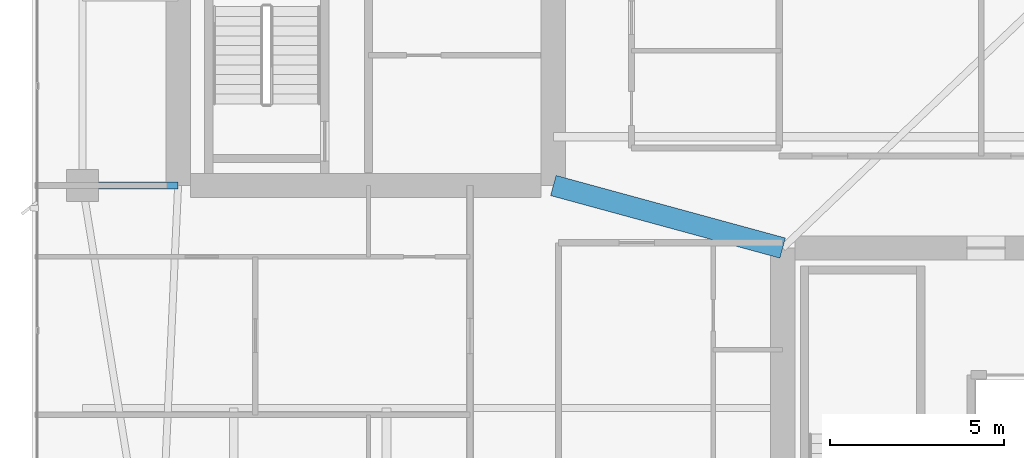
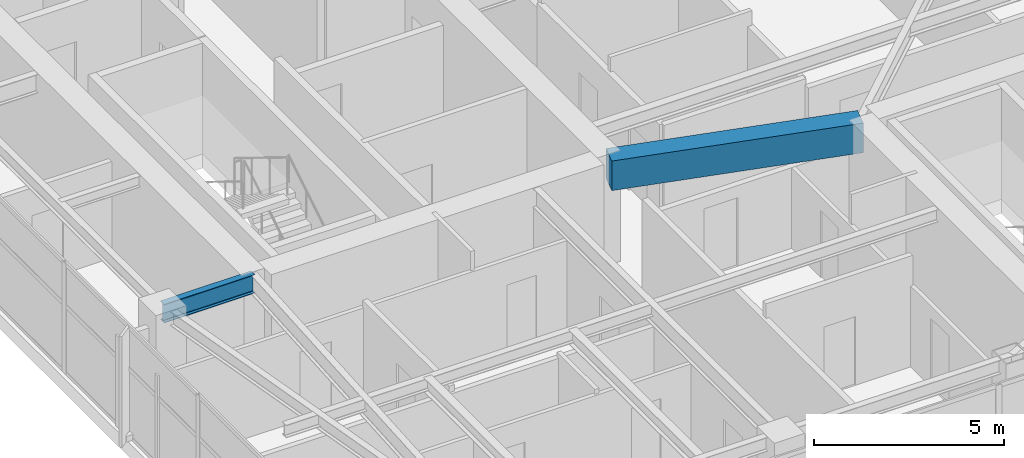
# One storey, part 7 of 29: 2 beams.
"""IFC4 building model written with IfcOpenShell, lengths in metres."""

from ifc_helpers import new_model, si_unit, direction, frame, origin, origin_2d, place, context, subcontext, project, spatial, rectangle, i_section, extrude, material, material_profile, profile_set, type_object, element, save


model = new_model("IFC4")

# Units and contexts
model_context = context("Model", 3, precision=1e-05, world=origin(), true_north=direction((0.0, 1.0)))
body_context = subcontext(model_context, "Body", "Model", "MODEL_VIEW")
ifc_project = project(units=[si_unit("LENGTHUNIT", "METRE"), si_unit("AREAUNIT", "SQUARE_METRE"), si_unit("VOLUMEUNIT", "CUBIC_METRE"), si_unit("PLANEANGLEUNIT", "RADIAN"), si_unit("MASSUNIT", "GRAM", prefix="KILO")], contexts=[model_context])

# Site, building, storey
site_placement = place(None, origin())
site = spatial("IfcSite", under=ifc_project, at=site_placement, CompositionType="ELEMENT")
building_placement = place(site_placement, origin())
building = spatial("IfcBuilding", under=site, at=building_placement, Name="Calvorn Quay Hotel", CompositionType="ELEMENT")
storey_placement = place(building_placement, frame((0.0, 0.0, 199.60009765625)))
storey = spatial("IfcBuildingStorey", under=building, at=storey_placement, Name="L49", CompositionType="ELEMENT", Elevation=199.60009765625)

# Beams
ifc_material_1 = material(Name="Steel Q355B", Category="steel")
ifc_material_profile_1 = material_profile(ifc_material_1, i_section(OverallWidth=0.199951171875, OverallDepth=0.60009765625, WebThickness=0.010986328125, FlangeThickness=0.01708984375, FilletRadius=0.01806640625, at=origin_2d()), Name="HN600x200x11x17")
ifc_profile_set_1 = profile_set([ifc_material_profile_1], Name="Steel Q355B")
beam_type_1 = type_object("IfcBeamType", Name="BM-GIRD-TYP", PredefinedType="BEAM", material=ifc_profile_set_1)
beam_1_placement = place(storey_placement, frame((1.449951171875, 16.800048828125, 3.239990234375), z_axis=(1.0, 0.0, 0.0), x_axis=(0.0, 1.0, 0.0)))
element("IfcBeam", 1, at=beam_1_placement, inside=storey, type_object=beam_type_1, Name="Beam BG-L49-W1", PredefinedType="BEAM", context=body_context, shape_type="SweptSolid", body=[
    extrude(i_section(OverallWidth=0.199951171875, OverallDepth=0.60009765625, WebThickness=0.010986328125, FlangeThickness=0.01708984375, FilletRadius=0.01806640625, at=origin_2d()), origin(), (0.0, 0.0, 1.0), 2.75),
])
ifc_material_2 = material(Name="Concrete C45", Category="concrete")
ifc_material_profile_2 = material_profile(ifc_material_2, rectangle(XDim=0.60009765625, YDim=0.949951171875, at=origin_2d()), Name="RCB600x950")
ifc_profile_set_2 = profile_set([ifc_material_profile_2], Name="Concrete C45")
beam_type_2 = type_object("IfcBeamType", Name="BM-RC-LINK-600x950", PredefinedType="BEAM", material=ifc_profile_set_2)
beam_2_placement = place(storey_placement, frame((15.0, 16.800048828125, 3.06494140625), z_axis=(0.964762997686, -0.263120425462, 0.0), x_axis=(0.263120425462, 0.964762997686, 0.0)))
element("IfcBeam", 2, at=beam_2_placement, inside=storey, type_object=beam_type_2, Name="Beam BCL-L49-01", PredefinedType="BEAM", context=body_context, shape_type="SweptSolid", body=[
    extrude(rectangle(XDim=0.60009765625, YDim=0.949951171875, at=origin_2d()), origin(), (0.0, 0.0, 1.0), 6.841064453125),
])

save(model, "model.ifc")
